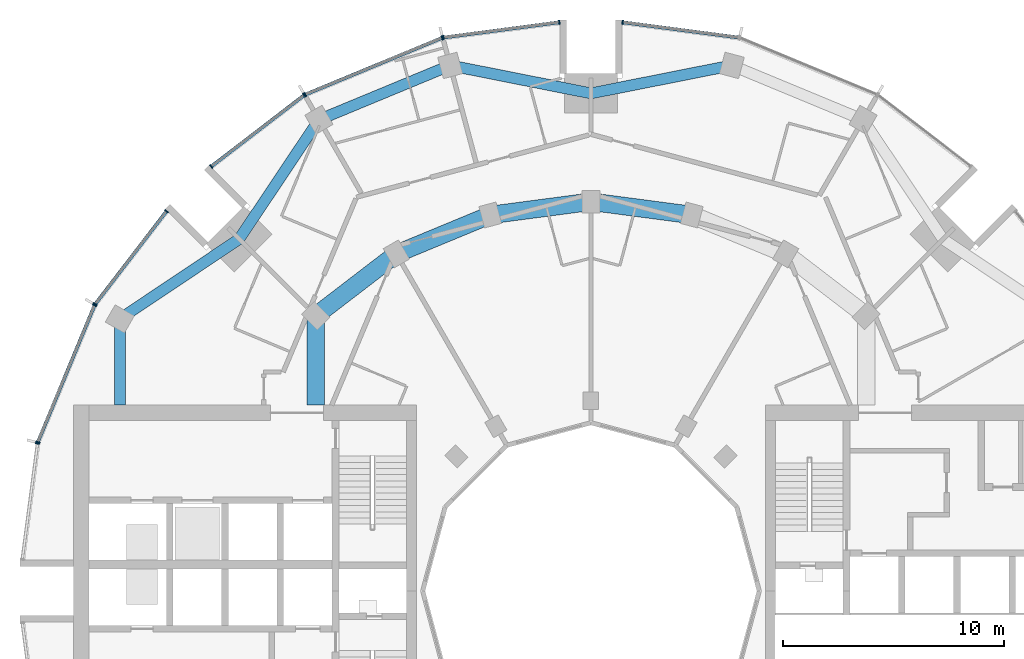
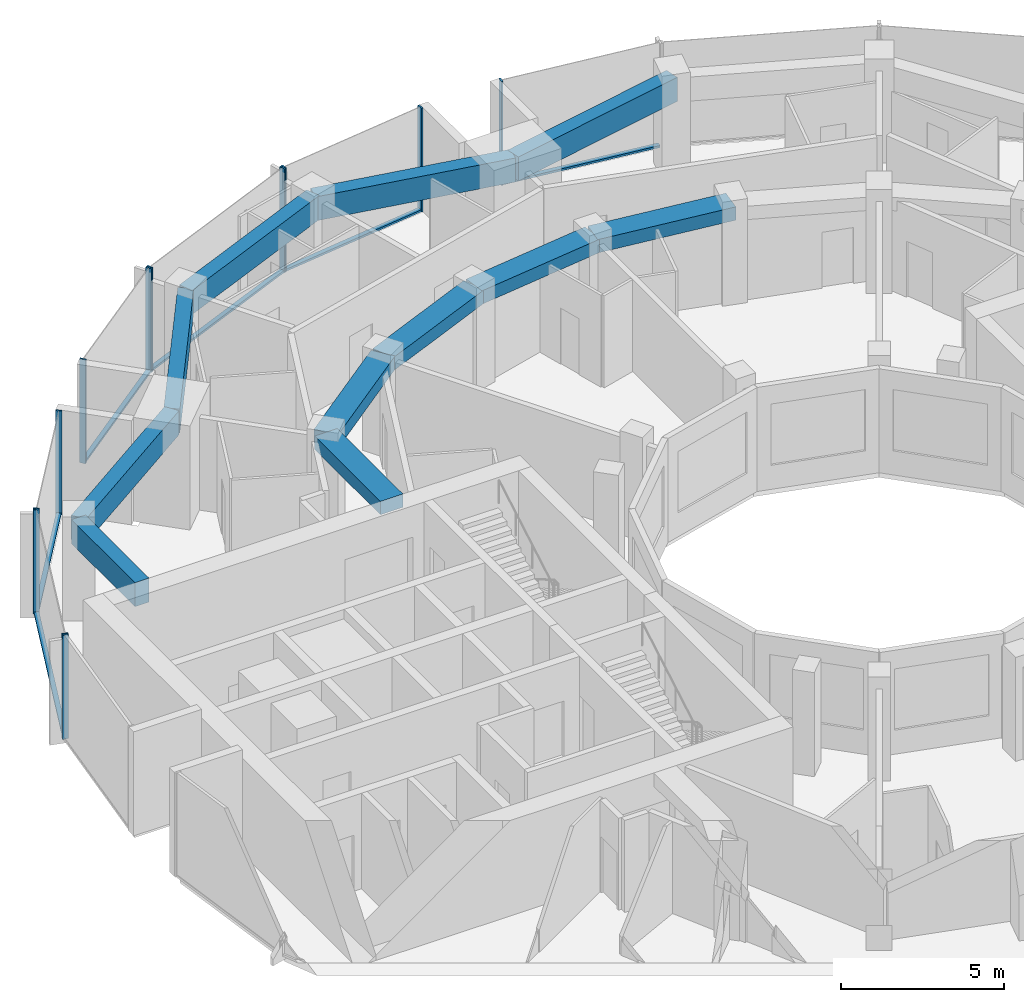
# One storey, part 5 of 15: 18 members, 11 beams, 7 elements without a shape of their own.
"""IFC4 building model written with IfcOpenShell, lengths in metres."""

from ifc_helpers import new_model, si_unit, direction, frame, origin, origin_2d, place, context, subcontext, project, spatial, rectangle, extrude, material, layer, layer_set, material_profile, profile_set, type_object, element, aggregate, save


model = new_model("IFC4")

# Units and contexts
model_context = context("Model", 3, precision=1e-05, world=origin(), true_north=direction((0.0, 1.0)))
body_context = subcontext(model_context, "Body", "Model", "MODEL_VIEW")
ifc_project = project(units=[si_unit("LENGTHUNIT", "METRE"), si_unit("AREAUNIT", "SQUARE_METRE"), si_unit("VOLUMEUNIT", "CUBIC_METRE"), si_unit("PLANEANGLEUNIT", "RADIAN"), si_unit("MASSUNIT", "GRAM", prefix="KILO")], contexts=[model_context])

# Site, building, storey
site_placement = place(None, origin())
site = spatial("IfcSite", under=ifc_project, at=site_placement, CompositionType="ELEMENT")
building_placement = place(site_placement, origin())
building = spatial("IfcBuilding", under=site, at=building_placement, Name="Torre Brocal", CompositionType="ELEMENT")
storey_placement = place(building_placement, frame((0.0, 0.0, 130.199951171875)))
storey = spatial("IfcBuildingStorey", under=building, at=storey_placement, Name="L30", CompositionType="ELEMENT", Elevation=130.199951171875)

# Curtain wall, member
ifc_material_1 = material(Name="Aluminium and glass", Category="aluminium")
ifc_layer_1 = layer(ifc_material_1, 0.199951171875)
ifc_layer_set_1 = layer_set([ifc_layer_1], Name="Aluminium and glass")
curtain_wall_type_1 = type_object("IfcCurtainWallType", Name="CW-1 CURTAIN WALL 3900 HIGH", PredefinedType="NOTDEFINED", material=ifc_layer_set_1)
curtain_wall_1_placement = place(storey_placement, origin())
curtain_wall_1 = element("IfcCurtainWall", 1, at=curtain_wall_1_placement, inside=storey, type_object=curtain_wall_type_1, Name="CW-1 RUN 6", PredefinedType="NOTDEFINED")
ifc_material_2 = material(Name="Aluminium, dark anodised", Category="aluminium")
ifc_material_profile_1 = material_profile(ifc_material_2, rectangle(XDim=0.199951171875, YDim=0.06005859375, at=origin_2d()), Name="CW-1 MULLION 60X200")
ifc_profile_set_1 = profile_set([ifc_material_profile_1], Name="Aluminium, dark anodised")
member_type_1 = type_object("IfcMemberType", Name="CW-1 MULLION 60X200", PredefinedType="MULLION", material=ifc_profile_set_1)
member_1_placement = place(storey_placement, frame((81.4296875, 100.7109375, 0.0), z_axis=(0.0, 0.0, 1.0), x_axis=(-0.13052619222, -0.991444861374, 0.0)))
member_1 = element("IfcMember", 2, at=member_1_placement, type_object=member_type_1, Name="CW1-3 mullion 2", PredefinedType="MULLION", context=body_context, shape_type="SweptSolid", body=[
    extrude(rectangle(XDim=0.199951171875, YDim=0.06005859375, at=origin_2d()), origin(), (0.0, 0.0, 1.0), 3.900146484375),
])

# Curtain wall, members
curtain_wall_2_placement = place(storey_placement, origin())
curtain_wall_2 = element("IfcCurtainWall", 3, at=curtain_wall_2_placement, inside=storey, type_object=curtain_wall_type_1, Name="CW-1 RUN 7", PredefinedType="NOTDEFINED")
member_2_placement = place(storey_placement, frame((78.5703125, 100.7109375, 0.0), z_axis=(0.0, 0.0, 1.0), x_axis=(0.13052619222, -0.991444861374, 0.0)))
member_2 = element("IfcMember", 4, at=member_2_placement, type_object=member_type_1, Name="CW1-3 mullion 1", PredefinedType="MULLION", context=body_context, shape_type="SweptSolid", body=[
    extrude(rectangle(XDim=0.199951171875, YDim=0.06005859375, at=origin_2d()), origin(), (0.0, 0.0, 1.0), 3.900146484375),
])
member_3_placement = place(storey_placement, frame((73.32666015625, 100.0205078125, 0.0), z_axis=(0.0, 0.0, 1.0), x_axis=(0.13052619222, -0.991444861374, 0.0)))
member_3 = element("IfcMember", 5, at=member_3_placement, type_object=member_type_1, Name="CW1-3 mullion 2", PredefinedType="MULLION", context=body_context, shape_type="SweptSolid", body=[
    extrude(rectangle(XDim=0.199951171875, YDim=0.06005859375, at=origin_2d()), origin(), (0.0, 0.0, 1.0), 3.900146484375),
])

curtain_wall_3_placement = place(storey_placement, origin())
curtain_wall_3 = element("IfcCurtainWall", 6, at=curtain_wall_3_placement, inside=storey, type_object=curtain_wall_type_1, Name="CW-1 RUN 8", PredefinedType="NOTDEFINED")
member_4_placement = place(storey_placement, frame((73.26904296875, 100.005126953125, 0.0), z_axis=(0.0, 0.0, 1.0), x_axis=(0.382683432333, -0.923879532525, 0.0)))
member_4 = element("IfcMember", 7, at=member_4_placement, type_object=member_type_1, Name="CW1-3 mullion 1", PredefinedType="MULLION", context=body_context, shape_type="SweptSolid", body=[
    extrude(rectangle(XDim=0.199951171875, YDim=0.06005859375, at=origin_2d()), origin(), (0.0, 0.0, 1.0), 3.900146484375),
])
member_5_placement = place(storey_placement, frame((67.078125, 97.440673828125, 0.0), z_axis=(0.0, 0.0, 1.0), x_axis=(0.382683432333, -0.923879532525, 0.0)))
member_5 = element("IfcMember", 8, at=member_5_placement, type_object=member_type_1, Name="CW1-3 mullion 2", PredefinedType="MULLION", context=body_context, shape_type="SweptSolid", body=[
    extrude(rectangle(XDim=0.199951171875, YDim=0.06005859375, at=origin_2d()), origin(), (0.0, 0.0, 1.0), 3.900146484375),
])

curtain_wall_4_placement = place(storey_placement, origin())
curtain_wall_4 = element("IfcCurtainWall", 9, at=curtain_wall_4_placement, inside=storey, type_object=curtain_wall_type_1, Name="CW-1 RUN 9", PredefinedType="NOTDEFINED")
member_6_placement = place(storey_placement, frame((67.026611328125, 97.4111328125, 0.0), z_axis=(0.0, 0.0, 1.0), x_axis=(0.60876142905, -0.793353340259, 0.0)))
member_6 = element("IfcMember", 10, at=member_6_placement, type_object=member_type_1, Name="CW1-3 mullion 1", PredefinedType="MULLION", context=body_context, shape_type="SweptSolid", body=[
    extrude(rectangle(XDim=0.199951171875, YDim=0.06005859375, at=origin_2d()), origin(), (0.0, 0.0, 1.0), 3.900146484375),
])
member_7_placement = place(storey_placement, frame((62.83056640625, 94.19140625, 0.0), z_axis=(0.0, 0.0, 1.0), x_axis=(0.60876142905, -0.793353340259, 0.0)))
member_7 = element("IfcMember", 11, at=member_7_placement, type_object=member_type_1, Name="CW1-3 mullion 2", PredefinedType="MULLION", context=body_context, shape_type="SweptSolid", body=[
    extrude(rectangle(XDim=0.199951171875, YDim=0.06005859375, at=origin_2d()), origin(), (0.0, 0.0, 1.0), 3.900146484375),
])

curtain_wall_5_placement = place(storey_placement, origin())
curtain_wall_5 = element("IfcCurtainWall", 12, at=curtain_wall_5_placement, inside=storey, type_object=curtain_wall_type_1, Name="CW-1 RUN 10", PredefinedType="NOTDEFINED")
member_8_placement = place(storey_placement, frame((60.80859375, 92.16943359375, 0.0), z_axis=(0.0, 0.0, 1.0), x_axis=(0.793353340259, -0.60876142905, 0.0)))
member_8 = element("IfcMember", 13, at=member_8_placement, type_object=member_type_1, Name="CW1-3 mullion 1", PredefinedType="MULLION", context=body_context, shape_type="SweptSolid", body=[
    extrude(rectangle(XDim=0.199951171875, YDim=0.06005859375, at=origin_2d()), origin(), (0.0, 0.0, 1.0), 3.900146484375),
])
member_9_placement = place(storey_placement, frame((57.5888671875, 87.973388671875, 0.0), z_axis=(0.0, 0.0, 1.0), x_axis=(0.793353340259, -0.60876142905, 0.0)))
member_9 = element("IfcMember", 14, at=member_9_placement, type_object=member_type_1, Name="CW1-3 mullion 2", PredefinedType="MULLION", context=body_context, shape_type="SweptSolid", body=[
    extrude(rectangle(XDim=0.199951171875, YDim=0.06005859375, at=origin_2d()), origin(), (0.0, 0.0, 1.0), 3.900146484375),
])

curtain_wall_6_placement = place(storey_placement, origin())
curtain_wall_6 = element("IfcCurtainWall", 15, at=curtain_wall_6_placement, inside=storey, type_object=curtain_wall_type_1, Name="CW-1 RUN 11", PredefinedType="NOTDEFINED")
member_10_placement = place(storey_placement, frame((57.559326171875, 87.921875, 0.0), z_axis=(0.0, 0.0, 1.0), x_axis=(0.923879532525, -0.382683432333, 0.0)))
member_10 = element("IfcMember", 16, at=member_10_placement, type_object=member_type_1, Name="CW1-3 mullion 1", PredefinedType="MULLION", context=body_context, shape_type="SweptSolid", body=[
    extrude(rectangle(XDim=0.199951171875, YDim=0.06005859375, at=origin_2d()), origin(), (0.0, 0.0, 1.0), 3.900146484375),
])
member_11_placement = place(storey_placement, frame((54.994873046875, 81.73095703125, 0.0), z_axis=(0.0, 0.0, 1.0), x_axis=(0.923879532525, -0.382683432333, 0.0)))
member_11 = element("IfcMember", 17, at=member_11_placement, type_object=member_type_1, Name="CW1-3 mullion 2", PredefinedType="MULLION", context=body_context, shape_type="SweptSolid", body=[
    extrude(rectangle(XDim=0.199951171875, YDim=0.06005859375, at=origin_2d()), origin(), (0.0, 0.0, 1.0), 3.900146484375),
])

# Member
ifc_material_3 = material(Name="Aluminium, dark anodised", Category="aluminium")
ifc_material_profile_2 = material_profile(ifc_material_3, rectangle(XDim=0.159912109375, YDim=0.080078125, at=origin_2d()), Name="CW-1 TRANSOM 160X80")
ifc_profile_set_2 = profile_set([ifc_material_profile_2], Name="Aluminium, dark anodised")
member_type_2 = type_object("IfcMemberType", Name="CW-1 TRANSOM 160X80", PredefinedType="USERDEFINED", material=ifc_profile_set_2)
member_12_placement = place(storey_placement, frame((86.643798828125, 100.0244140625, 0.0400390625), z_axis=(-0.991442690863, 0.130542677827, 0.0), x_axis=(-0.130542677827, -0.991442690863, 0.0)))
member_12 = element("IfcMember", 18, at=member_12_placement, type_object=member_type_2, Name="CW1-3 transom 1.1", ObjectType="TRANSOM", PredefinedType="USERDEFINED", context=body_context, shape_type="SweptSolid", body=[
    extrude(rectangle(XDim=0.159912109375, YDim=0.080078125, at=origin_2d()), origin(), (0.0, 0.0, 1.0), 5.22900390625),
])

aggregate(curtain_wall_1, [member_1, member_12])

member_13_placement = place(storey_placement, frame((78.54052734375, 100.70703125, 0.0400390625), z_axis=(-0.991442690863, -0.130542677827, 0.0), x_axis=(0.130542677827, -0.991442690863, 0.0)))
member_13 = element("IfcMember", 19, at=member_13_placement, type_object=member_type_2, Name="CW1-3 transom 1.1", ObjectType="TRANSOM", PredefinedType="USERDEFINED", context=body_context, shape_type="SweptSolid", body=[
    extrude(rectangle(XDim=0.159912109375, YDim=0.080078125, at=origin_2d()), origin(), (0.0, 0.0, 1.0), 5.22900390625),
])

aggregate(curtain_wall_2, [member_2, member_3, member_13])

member_14_placement = place(storey_placement, frame((73.241455078125, 99.99365234375, 0.0400390625), z_axis=(-0.923887344364, -0.38266457234, 0.0), x_axis=(0.38266457234, -0.923887344364, 0.0)))
member_14 = element("IfcMember", 20, at=member_14_placement, type_object=member_type_2, Name="CW1-3 transom 1.1", ObjectType="TRANSOM", PredefinedType="USERDEFINED", context=body_context, shape_type="SweptSolid", body=[
    extrude(rectangle(XDim=0.159912109375, YDim=0.080078125, at=origin_2d()), origin(), (0.0, 0.0, 1.0), 6.640869140625),
])

aggregate(curtain_wall_3, [member_4, member_5, member_14])

member_15_placement = place(storey_placement, frame((67.0029296875, 97.392822265625, 0.0400390625), z_axis=(-0.79336281513, -0.60874908096, 0.0), x_axis=(0.60874908096, -0.79336281513, 0.0)))
member_15 = element("IfcMember", 21, at=member_15_placement, type_object=member_type_2, Name="CW1-3 transom 1.1", ObjectType="TRANSOM", PredefinedType="USERDEFINED", context=body_context, shape_type="SweptSolid", body=[
    extrude(rectangle(XDim=0.159912109375, YDim=0.080078125, at=origin_2d()), origin(), (0.0, 0.0, 1.0), 5.22900390625),
])

aggregate(curtain_wall_4, [member_6, member_7, member_15])

member_16_placement = place(storey_placement, frame((60.790283203125, 92.1455078125, 0.0400390625), z_axis=(-0.60874908096, -0.79336281513, 0.0), x_axis=(0.79336281513, -0.60874908096, 0.0)))
member_16 = element("IfcMember", 22, at=member_16_placement, type_object=member_type_2, Name="CW1-3 transom 1.1", ObjectType="TRANSOM", PredefinedType="USERDEFINED", context=body_context, shape_type="SweptSolid", body=[
    extrude(rectangle(XDim=0.159912109375, YDim=0.080078125, at=origin_2d()), origin(), (0.0, 0.0, 1.0), 5.22900390625),
])

aggregate(curtain_wall_5, [member_8, member_9, member_16])

member_17_placement = place(storey_placement, frame((57.547607421875, 87.89404296875, 0.0400390625), z_axis=(-0.38266457234, -0.923887344364, 0.0), x_axis=(0.923887344364, -0.38266457234, 0.0)))
member_17 = element("IfcMember", 23, at=member_17_placement, type_object=member_type_2, Name="CW1-3 transom 1.1", ObjectType="TRANSOM", PredefinedType="USERDEFINED", context=body_context, shape_type="SweptSolid", body=[
    extrude(rectangle(XDim=0.159912109375, YDim=0.080078125, at=origin_2d()), origin(), (0.0, 0.0, 1.0), 6.640869140625),
])

aggregate(curtain_wall_6, [member_10, member_11, member_17])

# Curtain wall, member
ifc_material_4 = material(Name="Aluminium and glass", Category="aluminium")
ifc_layer_2 = layer(ifc_material_4, 0.199951171875)
ifc_layer_set_2 = layer_set([ifc_layer_2], Name="Aluminium and glass")
curtain_wall_type_2 = type_object("IfcCurtainWallType", Name="CW-1B CURTAIN WALL 3900 HIGH", PredefinedType="NOTDEFINED", material=ifc_layer_set_2)
curtain_wall_7_placement = place(storey_placement, origin())
curtain_wall_7 = element("IfcCurtainWall", 24, at=curtain_wall_7_placement, inside=storey, type_object=curtain_wall_type_2, Name="CW-1B RUN 12", PredefinedType="NOTDEFINED")
ifc_material_5 = material(Name="Aluminium, dark anodised", Category="aluminium")
ifc_material_profile_3 = material_profile(ifc_material_5, rectangle(XDim=0.199951171875, YDim=0.06005859375, at=origin_2d()), Name="CW-1B MULLION 60X200")
ifc_profile_set_3 = profile_set([ifc_material_profile_3], Name="Aluminium, dark anodised")
member_type_3 = type_object("IfcMemberType", Name="CW-1B MULLION 60X200", PredefinedType="MULLION", material=ifc_profile_set_3)
member_18_placement = place(storey_placement, frame((54.9794921875, 81.67333984375, 0.0), z_axis=(0.0, 0.0, 1.0), x_axis=(0.991444861374, -0.13052619222, 0.0)))
member_18 = element("IfcMember", 25, at=member_18_placement, type_object=member_type_3, Name="CW1B-3 mullion 1", PredefinedType="MULLION", context=body_context, shape_type="SweptSolid", body=[
    extrude(rectangle(XDim=0.199951171875, YDim=0.06005859375, at=origin_2d()), origin(), (0.0, 0.0, 1.0), 3.900146484375),
])
aggregate(curtain_wall_7, [member_18])

# Beams
ifc_material_6 = material(Name="Concrete C50", Category="concrete")
ifc_material_profile_4 = material_profile(ifc_material_6, rectangle(XDim=0.800048828125, YDim=0.5, at=origin_2d()), Name="RC 800X500")
ifc_profile_set_4 = profile_set([ifc_material_profile_4], Name="Concrete C50")
beam_type_1 = type_object("IfcBeamType", Name="RC BEAM 800X500 C50 TOP 3580", PredefinedType="BEAM", material=ifc_profile_set_4)
for number, where, z_axis, x_axis, name in (
    (26, (84.55517578125, 92.000244140625, 3.330078125), (-0.991440544449, 0.130558978332, 0.0), (-0.130558978332, -0.991440544449, 0.0), "Beam BT-28"),
    (27, (80.0, 92.60009765625, 3.330078125), (-0.991440544449, -0.130558978332, 0.0), (0.130558978332, -0.991440544449, 0.0), "Beam BT-28"),
):
    element("IfcBeam", number, at=place(storey_placement, frame(where, z_axis=z_axis, x_axis=x_axis)), inside=storey, type_object=beam_type_1, Name=name, PredefinedType="BEAM", context=body_context, shape_type="SweptSolid", body=[
        extrude(rectangle(XDim=0.800048828125, YDim=0.5, at=origin_2d()), origin(), (0.0, 0.0, 1.0), 4.594482421875),
    ])
beam_1_placement = place(storey_placement, frame((75.44482421875, 92.000244140625, 3.330078125), z_axis=(-0.923878240166, -0.382686552348, 0.0), x_axis=(0.382686552348, -0.923878240166, 0.0)))
element("IfcBeam", 28, at=beam_1_placement, inside=storey, type_object=beam_type_1, Name="Beam BT-28", PredefinedType="BEAM", context=body_context, shape_type="SweptSolid", body=[
    extrude(rectangle(XDim=0.800048828125, YDim=0.5, at=origin_2d()), origin(), (0.0, 0.0, 1.0), 4.5947265625),
])
beam_2_placement = place(storey_placement, frame((71.199951171875, 90.241943359375, 3.330078125), z_axis=(-0.793358265959, -0.6087550097, 0.0), x_axis=(0.6087550097, -0.793358265959, 0.0)))
element("IfcBeam", 29, at=beam_2_placement, inside=storey, type_object=beam_type_1, Name="Beam BT-28", PredefinedType="BEAM", context=body_context, shape_type="SweptSolid", body=[
    extrude(rectangle(XDim=0.800048828125, YDim=0.5, at=origin_2d()), origin(), (0.0, 0.0, 1.0), 4.594482421875),
])
beam_3_placement = place(storey_placement, frame((67.554931640625, 87.445068359375, 3.330078125), z_axis=(0.0, -1.0, 0.0), x_axis=(1.0, 0.0, 0.0)))
element("IfcBeam", 30, at=beam_3_placement, inside=storey, type_object=beam_type_1, Name="Beam BT-28", PredefinedType="BEAM", context=body_context, shape_type="SweptSolid", body=[
    extrude(rectangle(XDim=0.800048828125, YDim=0.5, at=origin_2d()), origin(), (0.0, 0.0, 1.0), 4.045166015625),
])
ifc_material_7 = material(Name="Concrete C50", Category="concrete")
ifc_material_profile_5 = material_profile(ifc_material_7, rectangle(XDim=0.5, YDim=0.89990234375, at=origin_2d()), Name="RC 500X900")
ifc_profile_set_5 = profile_set([ifc_material_profile_5], Name="Concrete C50")
beam_type_2 = type_object("IfcBeamType", Name="RC SPANDREL BEAM 500X900 C50 TOP 3580", PredefinedType="SPANDREL", material=ifc_profile_set_5)
for number, where, z_axis, x_axis, name in (
    (31, (86.366943359375, 98.76171875, 3.130126953125), (-0.980924907484, -0.194387051723, 0.0), (0.194387051723, -0.980924907484, 0.0), "Beam BT-29"),
    (32, (80.0, 97.5, 3.130126953125), (-0.980924907484, 0.194387051723, 0.0), (-0.194387051723, -0.980924907484, 0.0), "Beam BT-29"),
):
    element("IfcBeam", number, at=place(storey_placement, frame(where, z_axis=z_axis, x_axis=x_axis)), inside=storey, type_object=beam_type_2, Name=name, PredefinedType="SPANDREL", context=body_context, shape_type="SweptSolid", body=[
        extrude(rectangle(XDim=0.5, YDim=0.89990234375, at=origin_2d()), origin(), (0.0, 0.0, 1.0), 6.49072265625),
    ])
beam_4_placement = place(storey_placement, frame((73.633056640625, 98.76171875, 3.130126953125), z_axis=(-0.923882462513, -0.382676358639, 0.0), x_axis=(0.382676358639, -0.923882462513, 0.0)))
element("IfcBeam", 33, at=beam_4_placement, inside=storey, type_object=beam_type_2, Name="Beam BT-29", PredefinedType="SPANDREL", context=body_context, shape_type="SweptSolid", body=[
    extrude(rectangle(XDim=0.5, YDim=0.89990234375, at=origin_2d()), origin(), (0.0, 0.0, 1.0), 6.421875),
])
for number, where, z_axis, x_axis, name in (
    (34, (67.699951171875, 96.30419921875, 3.130126953125), (-0.556157602282, -0.831076844476, 0.0), (0.831076844476, -0.556157602282, 0.0), "Beam BT-29"),
    (35, (64.090087890625, 90.909912109375, 3.130126953125), (-0.831076844476, -0.556157602282, 0.0), (0.556157602282, -0.831076844476, 0.0), "Beam BT-29"),
):
    element("IfcBeam", number, at=place(storey_placement, frame(where, z_axis=z_axis, x_axis=x_axis)), inside=storey, type_object=beam_type_2, Name=name, PredefinedType="SPANDREL", context=body_context, shape_type="SweptSolid", body=[
        extrude(rectangle(XDim=0.5, YDim=0.89990234375, at=origin_2d()), origin(), (0.0, 0.0, 1.0), 6.49072265625),
    ])
beam_5_placement = place(storey_placement, frame((58.69580078125, 87.300048828125, 3.130126953125), z_axis=(0.0, -1.0, 0.0), x_axis=(1.0, 0.0, 0.0)))
element("IfcBeam", 36, at=beam_5_placement, inside=storey, type_object=beam_type_2, Name="Beam BT-29", PredefinedType="SPANDREL", context=body_context, shape_type="SweptSolid", body=[
    extrude(rectangle(XDim=0.5, YDim=0.89990234375, at=origin_2d()), origin(), (0.0, 0.0, 1.0), 3.900146484375),
])

save(model, "model.ifc")
